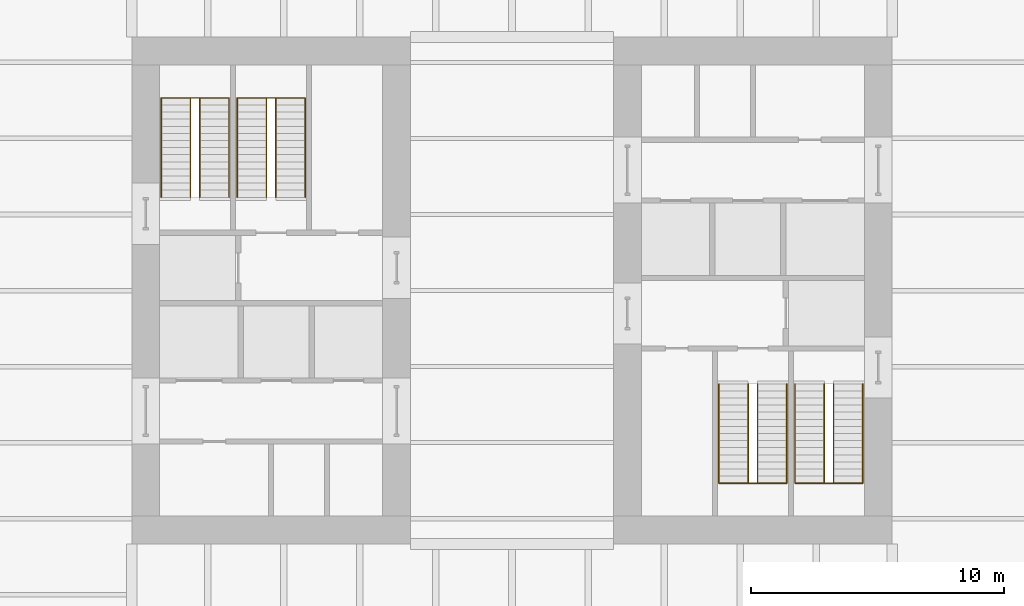
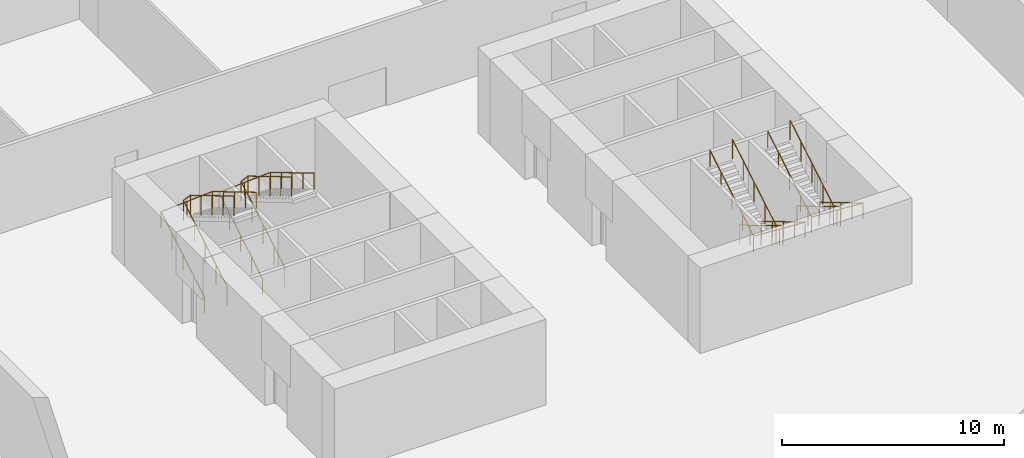
# One storey, part 5 of 6: 8 railings.
"""IFC4 building model written with IfcOpenShell, lengths in metres."""

from ifc_helpers import new_model, si_unit, direction, frame, origin, origin_2d, place, context, subcontext, project, spatial, circle, extrude, material, type_object, element, save


model = new_model("IFC4")

# Units and contexts
model_context = context("Model", 3, precision=1e-05, world=origin(), true_north=direction((0.0, 1.0)))
body_context = subcontext(model_context, "Body", "Model", "MODEL_VIEW")
ifc_project = project(units=[si_unit("LENGTHUNIT", "METRE"), si_unit("AREAUNIT", "SQUARE_METRE"), si_unit("VOLUMEUNIT", "CUBIC_METRE"), si_unit("PLANEANGLEUNIT", "RADIAN"), si_unit("MASSUNIT", "GRAM", prefix="KILO")], contexts=[model_context])

# Site, building, storey
site_placement = place(None, origin())
site = spatial("IfcSite", under=ifc_project, at=site_placement, CompositionType="ELEMENT")
building_placement = place(site_placement, origin())
building = spatial("IfcBuilding", under=site, at=building_placement, Name="Millrace Tower", CompositionType="ELEMENT")
storey_placement = place(building_placement, frame((0.0, 0.0, -5.0)))
storey = spatial("IfcBuildingStorey", under=building, at=storey_placement, Name="B1", CompositionType="ELEMENT", Elevation=-5.0)

# Railings
ifc_material_1 = material(Name="Stainless steel ASTM A240 type 316", Category="steel")
railing_type_1 = type_object("IfcRailingType", Name="Stair guard 1100", PredefinedType="GUARDRAIL", material=ifc_material_1)
railing_1_placement = place(storey_placement, frame((-12.679931640625, 3.679931640625, 0.166748046875)))
element("IfcRailing", 1, at=railing_1_placement, inside=storey, type_object=railing_type_1, Name="Stair guard 1 W B1", PredefinedType="GUARDRAIL", context=body_context, shape_type="SweptSolid", body=[
    extrude(circle(Radius=0.02392578125, at=origin_2d()), frame((0.0, 0.0, 1.076171875), z_axis=(0.0, 0.859310244771, 0.511454693235), x_axis=(-1.0, 0.0, 0.0)), (0.0, 0.0, 1.0), 4.56201171875),
    extrude(circle(Radius=0.02392578125, at=origin_2d()), frame((0.0, 3.920166015625, 3.4091796875), z_axis=(0.907327788256, 0.0, 0.42042393445), x_axis=(0.0, 1.0, 0.0)), (0.0, 0.0, 1.0), 0.396728515625),
    extrude(circle(Radius=0.02392578125, at=origin_2d()), frame((0.35986328125, 3.920166015625, 3.576171875), z_axis=(0.0, -0.859310244771, 0.511454693235), x_axis=(1.0, 0.0, 0.0)), (0.0, 0.0, 1.0), 4.56201171875),
    extrude(circle(Radius=0.02099609375, at=origin_2d()), origin(), (0.0, 0.0, 1.0), 1.052001953125),
    extrude(circle(Radius=0.02099609375, at=origin_2d()), frame((0.0, 0.97998046875, 0.583251953125)), (0.0, 0.0, 1.0), 1.052001953125),
    extrude(circle(Radius=0.02099609375, at=origin_2d()), frame((0.0, 1.9599609375, 1.16650390625)), (0.0, 0.0, 1.0), 1.052001953125),
    extrude(circle(Radius=0.02099609375, at=origin_2d()), frame((0.0, 2.940185546875, 1.75)), (0.0, 0.0, 1.0), 1.052001953125),
    extrude(circle(Radius=0.02099609375, at=origin_2d()), frame((0.0, 3.920166015625, 2.333251953125)), (0.0, 0.0, 1.0), 1.052001953125),
    extrude(circle(Radius=0.02099609375, at=origin_2d()), frame((0.35986328125, 3.920166015625, 2.5)), (0.0, 0.0, 1.0), 1.052001953125),
    extrude(circle(Radius=0.02099609375, at=origin_2d()), frame((0.35986328125, 2.940185546875, 3.083251953125)), (0.0, 0.0, 1.0), 1.052001953125),
    extrude(circle(Radius=0.02099609375, at=origin_2d()), frame((0.35986328125, 1.9599609375, 3.66650390625)), (0.0, 0.0, 1.0), 1.052001953125),
    extrude(circle(Radius=0.02099609375, at=origin_2d()), frame((0.35986328125, 0.97998046875, 4.25)), (0.0, 0.0, 1.0), 1.052001953125),
    extrude(circle(Radius=0.02099609375, at=origin_2d()), frame((0.35986328125, 0.0, 4.833251953125)), (0.0, 0.0, 1.0), 1.052001953125),
])
railing_2_placement = place(storey_placement, frame((-9.679931640625, 3.679931640625, 0.166748046875)))
element("IfcRailing", 2, at=railing_2_placement, inside=storey, type_object=railing_type_1, Name="Stair guard 2 W B1", PredefinedType="GUARDRAIL", context=body_context, shape_type="SweptSolid", body=[
    extrude(circle(Radius=0.02392578125, at=origin_2d()), frame((0.0, 0.0, 1.076171875), z_axis=(0.0, 0.859310244771, 0.511454693235), x_axis=(-1.0, 0.0, 0.0)), (0.0, 0.0, 1.0), 4.56201171875),
    extrude(circle(Radius=0.02392578125, at=origin_2d()), frame((0.0, 3.920166015625, 3.4091796875), z_axis=(0.907327788256, 0.0, 0.42042393445), x_axis=(0.0, 1.0, 0.0)), (0.0, 0.0, 1.0), 0.396728515625),
    extrude(circle(Radius=0.02392578125, at=origin_2d()), frame((0.35986328125, 3.920166015625, 3.576171875), z_axis=(0.0, -0.859310244771, 0.511454693235), x_axis=(1.0, 0.0, 0.0)), (0.0, 0.0, 1.0), 4.56201171875),
    extrude(circle(Radius=0.02099609375, at=origin_2d()), origin(), (0.0, 0.0, 1.0), 1.052001953125),
    extrude(circle(Radius=0.02099609375, at=origin_2d()), frame((0.0, 0.97998046875, 0.583251953125)), (0.0, 0.0, 1.0), 1.052001953125),
    extrude(circle(Radius=0.02099609375, at=origin_2d()), frame((0.0, 1.9599609375, 1.16650390625)), (0.0, 0.0, 1.0), 1.052001953125),
    extrude(circle(Radius=0.02099609375, at=origin_2d()), frame((0.0, 2.940185546875, 1.75)), (0.0, 0.0, 1.0), 1.052001953125),
    extrude(circle(Radius=0.02099609375, at=origin_2d()), frame((0.0, 3.920166015625, 2.333251953125)), (0.0, 0.0, 1.0), 1.052001953125),
    extrude(circle(Radius=0.02099609375, at=origin_2d()), frame((0.35986328125, 3.920166015625, 2.5)), (0.0, 0.0, 1.0), 1.052001953125),
    extrude(circle(Radius=0.02099609375, at=origin_2d()), frame((0.35986328125, 2.940185546875, 3.083251953125)), (0.0, 0.0, 1.0), 1.052001953125),
    extrude(circle(Radius=0.02099609375, at=origin_2d()), frame((0.35986328125, 1.9599609375, 3.66650390625)), (0.0, 0.0, 1.0), 1.052001953125),
    extrude(circle(Radius=0.02099609375, at=origin_2d()), frame((0.35986328125, 0.97998046875, 4.25)), (0.0, 0.0, 1.0), 1.052001953125),
    extrude(circle(Radius=0.02099609375, at=origin_2d()), frame((0.35986328125, 0.0, 4.833251953125)), (0.0, 0.0, 1.0), 1.052001953125),
])
railing_3_placement = place(storey_placement, frame((12.679931640625, -3.679931640625, 0.166748046875)))
element("IfcRailing", 3, at=railing_3_placement, inside=storey, type_object=railing_type_1, Name="Stair guard 1 E B1", PredefinedType="GUARDRAIL", context=body_context, shape_type="SweptSolid", body=[
    extrude(circle(Radius=0.02392578125, at=origin_2d()), frame((0.0, 0.0, 1.076171875), z_axis=(0.0, -0.859310244771, 0.511454693235), x_axis=(1.0, 0.0, 0.0)), (0.0, 0.0, 1.0), 4.56201171875),
    extrude(circle(Radius=0.02392578125, at=origin_2d()), frame((0.0, -3.920166015625, 3.4091796875), z_axis=(-0.907327788256, 0.0, 0.42042393445), x_axis=(0.0, -1.0, 0.0)), (0.0, 0.0, 1.0), 0.396728515625),
    extrude(circle(Radius=0.02392578125, at=origin_2d()), frame((-0.35986328125, -3.920166015625, 3.576171875), z_axis=(0.0, 0.859310244771, 0.511454693235), x_axis=(-1.0, 0.0, 0.0)), (0.0, 0.0, 1.0), 4.56201171875),
    extrude(circle(Radius=0.02099609375, at=origin_2d()), origin(), (0.0, 0.0, 1.0), 1.052001953125),
    extrude(circle(Radius=0.02099609375, at=origin_2d()), frame((0.0, -0.97998046875, 0.583251953125)), (0.0, 0.0, 1.0), 1.052001953125),
    extrude(circle(Radius=0.02099609375, at=origin_2d()), frame((0.0, -1.9599609375, 1.16650390625)), (0.0, 0.0, 1.0), 1.052001953125),
    extrude(circle(Radius=0.02099609375, at=origin_2d()), frame((0.0, -2.940185546875, 1.75)), (0.0, 0.0, 1.0), 1.052001953125),
    extrude(circle(Radius=0.02099609375, at=origin_2d()), frame((0.0, -3.920166015625, 2.333251953125)), (0.0, 0.0, 1.0), 1.052001953125),
    extrude(circle(Radius=0.02099609375, at=origin_2d()), frame((-0.35986328125, -3.920166015625, 2.5)), (0.0, 0.0, 1.0), 1.052001953125),
    extrude(circle(Radius=0.02099609375, at=origin_2d()), frame((-0.35986328125, -2.940185546875, 3.083251953125)), (0.0, 0.0, 1.0), 1.052001953125),
    extrude(circle(Radius=0.02099609375, at=origin_2d()), frame((-0.35986328125, -1.9599609375, 3.66650390625)), (0.0, 0.0, 1.0), 1.052001953125),
    extrude(circle(Radius=0.02099609375, at=origin_2d()), frame((-0.35986328125, -0.97998046875, 4.25)), (0.0, 0.0, 1.0), 1.052001953125),
    extrude(circle(Radius=0.02099609375, at=origin_2d()), frame((-0.35986328125, 0.0, 4.833251953125)), (0.0, 0.0, 1.0), 1.052001953125),
])
railing_4_placement = place(storey_placement, frame((9.679931640625, -3.679931640625, 0.166748046875)))
element("IfcRailing", 4, at=railing_4_placement, inside=storey, type_object=railing_type_1, Name="Stair guard 2 E B1", PredefinedType="GUARDRAIL", context=body_context, shape_type="SweptSolid", body=[
    extrude(circle(Radius=0.02392578125, at=origin_2d()), frame((0.0, 0.0, 1.076171875), z_axis=(0.0, -0.859310244771, 0.511454693235), x_axis=(1.0, 0.0, 0.0)), (0.0, 0.0, 1.0), 4.56201171875),
    extrude(circle(Radius=0.02392578125, at=origin_2d()), frame((0.0, -3.920166015625, 3.4091796875), z_axis=(-0.907327788256, 0.0, 0.42042393445), x_axis=(0.0, -1.0, 0.0)), (0.0, 0.0, 1.0), 0.396728515625),
    extrude(circle(Radius=0.02392578125, at=origin_2d()), frame((-0.35986328125, -3.920166015625, 3.576171875), z_axis=(0.0, 0.859310244771, 0.511454693235), x_axis=(-1.0, 0.0, 0.0)), (0.0, 0.0, 1.0), 4.56201171875),
    extrude(circle(Radius=0.02099609375, at=origin_2d()), origin(), (0.0, 0.0, 1.0), 1.052001953125),
    extrude(circle(Radius=0.02099609375, at=origin_2d()), frame((0.0, -0.97998046875, 0.583251953125)), (0.0, 0.0, 1.0), 1.052001953125),
    extrude(circle(Radius=0.02099609375, at=origin_2d()), frame((0.0, -1.9599609375, 1.16650390625)), (0.0, 0.0, 1.0), 1.052001953125),
    extrude(circle(Radius=0.02099609375, at=origin_2d()), frame((0.0, -2.940185546875, 1.75)), (0.0, 0.0, 1.0), 1.052001953125),
    extrude(circle(Radius=0.02099609375, at=origin_2d()), frame((0.0, -3.920166015625, 2.333251953125)), (0.0, 0.0, 1.0), 1.052001953125),
    extrude(circle(Radius=0.02099609375, at=origin_2d()), frame((-0.35986328125, -3.920166015625, 2.5)), (0.0, 0.0, 1.0), 1.052001953125),
    extrude(circle(Radius=0.02099609375, at=origin_2d()), frame((-0.35986328125, -2.940185546875, 3.083251953125)), (0.0, 0.0, 1.0), 1.052001953125),
    extrude(circle(Radius=0.02099609375, at=origin_2d()), frame((-0.35986328125, -1.9599609375, 3.66650390625)), (0.0, 0.0, 1.0), 1.052001953125),
    extrude(circle(Radius=0.02099609375, at=origin_2d()), frame((-0.35986328125, -0.97998046875, 4.25)), (0.0, 0.0, 1.0), 1.052001953125),
    extrude(circle(Radius=0.02099609375, at=origin_2d()), frame((-0.35986328125, 0.0, 4.833251953125)), (0.0, 0.0, 1.0), 1.052001953125),
])
ifc_material_2 = material(Name="Stainless steel ASTM A240 type 316", Category="steel")
railing_type_2 = type_object("IfcRailingType", Name="Stair handrail 900", PredefinedType="HANDRAIL", material=ifc_material_2)
railing_5_placement = place(storey_placement, frame((-13.840087890625, 3.679931640625, 0.166748046875)))
element("IfcRailing", 5, at=railing_5_placement, inside=storey, type_object=railing_type_2, Name="Stair handrail 1 W B1", PredefinedType="HANDRAIL", context=body_context, shape_type="SweptSolid", body=[
    extrude(circle(Radius=0.02392578125, at=origin_2d()), frame((0.0, 0.0, 0.8759765625), z_axis=(0.0, 0.859310244771, 0.511454693235), x_axis=(-1.0, 0.0, 0.0)), (0.0, 0.0, 1.0), 4.56201171875),
    extrude(circle(Radius=0.02392578125, at=origin_2d()), frame((0.0, 3.920166015625, 3.208984375), z_axis=(0.998070226197, 0.0, 0.062095278238), x_axis=(0.0, 1.0, 0.0)), (0.0, 0.0, 1.0), 2.685302734375),
    extrude(circle(Radius=0.02392578125, at=origin_2d()), frame((2.68017578125, 3.920166015625, 3.3759765625), z_axis=(0.0, -0.859310244771, 0.511454693235), x_axis=(1.0, 0.0, 0.0)), (0.0, 0.0, 1.0), 4.56201171875),
    extrude(circle(Radius=0.02099609375, at=origin_2d()), origin(), (0.0, 0.0, 1.0), 0.851806640625),
    extrude(circle(Radius=0.02099609375, at=origin_2d()), frame((0.0, 0.97998046875, 0.583251953125)), (0.0, 0.0, 1.0), 0.851806640625),
    extrude(circle(Radius=0.02099609375, at=origin_2d()), frame((0.0, 1.9599609375, 1.16650390625)), (0.0, 0.0, 1.0), 0.851806640625),
    extrude(circle(Radius=0.02099609375, at=origin_2d()), frame((0.0, 2.940185546875, 1.75)), (0.0, 0.0, 1.0), 0.851806640625),
    extrude(circle(Radius=0.02099609375, at=origin_2d()), frame((0.0, 3.920166015625, 2.333251953125)), (0.0, 0.0, 1.0), 0.851806640625),
    extrude(circle(Radius=0.02099609375, at=origin_2d()), frame((1.340087890625, 3.920166015625, 2.41650390625)), (0.0, 0.0, 1.0), 0.851806640625),
    extrude(circle(Radius=0.02099609375, at=origin_2d()), frame((2.68017578125, 3.920166015625, 2.5)), (0.0, 0.0, 1.0), 0.851806640625),
    extrude(circle(Radius=0.02099609375, at=origin_2d()), frame((2.68017578125, 2.940185546875, 3.083251953125)), (0.0, 0.0, 1.0), 0.851806640625),
    extrude(circle(Radius=0.02099609375, at=origin_2d()), frame((2.68017578125, 1.9599609375, 3.66650390625)), (0.0, 0.0, 1.0), 0.851806640625),
    extrude(circle(Radius=0.02099609375, at=origin_2d()), frame((2.68017578125, 0.97998046875, 4.25)), (0.0, 0.0, 1.0), 0.851806640625),
    extrude(circle(Radius=0.02099609375, at=origin_2d()), frame((2.68017578125, 0.0, 4.833251953125)), (0.0, 0.0, 1.0), 0.851806640625),
])
railing_6_placement = place(storey_placement, frame((-10.840087890625, 3.679931640625, 0.166748046875)))
element("IfcRailing", 6, at=railing_6_placement, inside=storey, type_object=railing_type_2, Name="Stair handrail 2 W B1", PredefinedType="HANDRAIL", context=body_context, shape_type="SweptSolid", body=[
    extrude(circle(Radius=0.02392578125, at=origin_2d()), frame((0.0, 0.0, 0.8759765625), z_axis=(0.0, 0.859310244771, 0.511454693235), x_axis=(-1.0, 0.0, 0.0)), (0.0, 0.0, 1.0), 4.56201171875),
    extrude(circle(Radius=0.02392578125, at=origin_2d()), frame((0.0, 3.920166015625, 3.208984375), z_axis=(0.998070226197, 0.0, 0.062095278238), x_axis=(0.0, 1.0, 0.0)), (0.0, 0.0, 1.0), 2.685302734375),
    extrude(circle(Radius=0.02392578125, at=origin_2d()), frame((2.68017578125, 3.920166015625, 3.3759765625), z_axis=(0.0, -0.859310244771, 0.511454693235), x_axis=(1.0, 0.0, 0.0)), (0.0, 0.0, 1.0), 4.56201171875),
    extrude(circle(Radius=0.02099609375, at=origin_2d()), origin(), (0.0, 0.0, 1.0), 0.851806640625),
    extrude(circle(Radius=0.02099609375, at=origin_2d()), frame((0.0, 0.97998046875, 0.583251953125)), (0.0, 0.0, 1.0), 0.851806640625),
    extrude(circle(Radius=0.02099609375, at=origin_2d()), frame((0.0, 1.9599609375, 1.16650390625)), (0.0, 0.0, 1.0), 0.851806640625),
    extrude(circle(Radius=0.02099609375, at=origin_2d()), frame((0.0, 2.940185546875, 1.75)), (0.0, 0.0, 1.0), 0.851806640625),
    extrude(circle(Radius=0.02099609375, at=origin_2d()), frame((0.0, 3.920166015625, 2.333251953125)), (0.0, 0.0, 1.0), 0.851806640625),
    extrude(circle(Radius=0.02099609375, at=origin_2d()), frame((1.340087890625, 3.920166015625, 2.41650390625)), (0.0, 0.0, 1.0), 0.851806640625),
    extrude(circle(Radius=0.02099609375, at=origin_2d()), frame((2.68017578125, 3.920166015625, 2.5)), (0.0, 0.0, 1.0), 0.851806640625),
    extrude(circle(Radius=0.02099609375, at=origin_2d()), frame((2.68017578125, 2.940185546875, 3.083251953125)), (0.0, 0.0, 1.0), 0.851806640625),
    extrude(circle(Radius=0.02099609375, at=origin_2d()), frame((2.68017578125, 1.9599609375, 3.66650390625)), (0.0, 0.0, 1.0), 0.851806640625),
    extrude(circle(Radius=0.02099609375, at=origin_2d()), frame((2.68017578125, 0.97998046875, 4.25)), (0.0, 0.0, 1.0), 0.851806640625),
    extrude(circle(Radius=0.02099609375, at=origin_2d()), frame((2.68017578125, 0.0, 4.833251953125)), (0.0, 0.0, 1.0), 0.851806640625),
])
railing_7_placement = place(storey_placement, frame((13.840087890625, -3.679931640625, 0.166748046875)))
element("IfcRailing", 7, at=railing_7_placement, inside=storey, type_object=railing_type_2, Name="Stair handrail 1 E B1", PredefinedType="HANDRAIL", context=body_context, shape_type="SweptSolid", body=[
    extrude(circle(Radius=0.02392578125, at=origin_2d()), frame((0.0, 0.0, 0.8759765625), z_axis=(0.0, -0.859310244771, 0.511454693235), x_axis=(1.0, 0.0, 0.0)), (0.0, 0.0, 1.0), 4.56201171875),
    extrude(circle(Radius=0.02392578125, at=origin_2d()), frame((0.0, -3.920166015625, 3.208984375), z_axis=(-0.998070226197, 0.0, 0.062095278238), x_axis=(0.0, -1.0, 0.0)), (0.0, 0.0, 1.0), 2.685302734375),
    extrude(circle(Radius=0.02392578125, at=origin_2d()), frame((-2.68017578125, -3.920166015625, 3.3759765625), z_axis=(0.0, 0.859310244771, 0.511454693235), x_axis=(-1.0, 0.0, 0.0)), (0.0, 0.0, 1.0), 4.56201171875),
    extrude(circle(Radius=0.02099609375, at=origin_2d()), origin(), (0.0, 0.0, 1.0), 0.851806640625),
    extrude(circle(Radius=0.02099609375, at=origin_2d()), frame((0.0, -0.97998046875, 0.583251953125)), (0.0, 0.0, 1.0), 0.851806640625),
    extrude(circle(Radius=0.02099609375, at=origin_2d()), frame((0.0, -1.9599609375, 1.16650390625)), (0.0, 0.0, 1.0), 0.851806640625),
    extrude(circle(Radius=0.02099609375, at=origin_2d()), frame((0.0, -2.940185546875, 1.75)), (0.0, 0.0, 1.0), 0.851806640625),
    extrude(circle(Radius=0.02099609375, at=origin_2d()), frame((0.0, -3.920166015625, 2.333251953125)), (0.0, 0.0, 1.0), 0.851806640625),
    extrude(circle(Radius=0.02099609375, at=origin_2d()), frame((-1.340087890625, -3.920166015625, 2.41650390625)), (0.0, 0.0, 1.0), 0.851806640625),
    extrude(circle(Radius=0.02099609375, at=origin_2d()), frame((-2.68017578125, -3.920166015625, 2.5)), (0.0, 0.0, 1.0), 0.851806640625),
    extrude(circle(Radius=0.02099609375, at=origin_2d()), frame((-2.68017578125, -2.940185546875, 3.083251953125)), (0.0, 0.0, 1.0), 0.851806640625),
    extrude(circle(Radius=0.02099609375, at=origin_2d()), frame((-2.68017578125, -1.9599609375, 3.66650390625)), (0.0, 0.0, 1.0), 0.851806640625),
    extrude(circle(Radius=0.02099609375, at=origin_2d()), frame((-2.68017578125, -0.97998046875, 4.25)), (0.0, 0.0, 1.0), 0.851806640625),
    extrude(circle(Radius=0.02099609375, at=origin_2d()), frame((-2.68017578125, 0.0, 4.833251953125)), (0.0, 0.0, 1.0), 0.851806640625),
])
railing_8_placement = place(storey_placement, frame((10.840087890625, -3.679931640625, 0.166748046875)))
element("IfcRailing", 8, at=railing_8_placement, inside=storey, type_object=railing_type_2, Name="Stair handrail 2 E B1", PredefinedType="HANDRAIL", context=body_context, shape_type="SweptSolid", body=[
    extrude(circle(Radius=0.02392578125, at=origin_2d()), frame((0.0, 0.0, 0.8759765625), z_axis=(0.0, -0.859310244771, 0.511454693235), x_axis=(1.0, 0.0, 0.0)), (0.0, 0.0, 1.0), 4.56201171875),
    extrude(circle(Radius=0.02392578125, at=origin_2d()), frame((0.0, -3.920166015625, 3.208984375), z_axis=(-0.998070226197, 0.0, 0.062095278238), x_axis=(0.0, -1.0, 0.0)), (0.0, 0.0, 1.0), 2.685302734375),
    extrude(circle(Radius=0.02392578125, at=origin_2d()), frame((-2.68017578125, -3.920166015625, 3.3759765625), z_axis=(0.0, 0.859310244771, 0.511454693235), x_axis=(-1.0, 0.0, 0.0)), (0.0, 0.0, 1.0), 4.56201171875),
    extrude(circle(Radius=0.02099609375, at=origin_2d()), origin(), (0.0, 0.0, 1.0), 0.851806640625),
    extrude(circle(Radius=0.02099609375, at=origin_2d()), frame((0.0, -0.97998046875, 0.583251953125)), (0.0, 0.0, 1.0), 0.851806640625),
    extrude(circle(Radius=0.02099609375, at=origin_2d()), frame((0.0, -1.9599609375, 1.16650390625)), (0.0, 0.0, 1.0), 0.851806640625),
    extrude(circle(Radius=0.02099609375, at=origin_2d()), frame((0.0, -2.940185546875, 1.75)), (0.0, 0.0, 1.0), 0.851806640625),
    extrude(circle(Radius=0.02099609375, at=origin_2d()), frame((0.0, -3.920166015625, 2.333251953125)), (0.0, 0.0, 1.0), 0.851806640625),
    extrude(circle(Radius=0.02099609375, at=origin_2d()), frame((-1.340087890625, -3.920166015625, 2.41650390625)), (0.0, 0.0, 1.0), 0.851806640625),
    extrude(circle(Radius=0.02099609375, at=origin_2d()), frame((-2.68017578125, -3.920166015625, 2.5)), (0.0, 0.0, 1.0), 0.851806640625),
    extrude(circle(Radius=0.02099609375, at=origin_2d()), frame((-2.68017578125, -2.940185546875, 3.083251953125)), (0.0, 0.0, 1.0), 0.851806640625),
    extrude(circle(Radius=0.02099609375, at=origin_2d()), frame((-2.68017578125, -1.9599609375, 3.66650390625)), (0.0, 0.0, 1.0), 0.851806640625),
    extrude(circle(Radius=0.02099609375, at=origin_2d()), frame((-2.68017578125, -0.97998046875, 4.25)), (0.0, 0.0, 1.0), 0.851806640625),
    extrude(circle(Radius=0.02099609375, at=origin_2d()), frame((-2.68017578125, 0.0, 4.833251953125)), (0.0, 0.0, 1.0), 0.851806640625),
])

save(model, "model.ifc")
